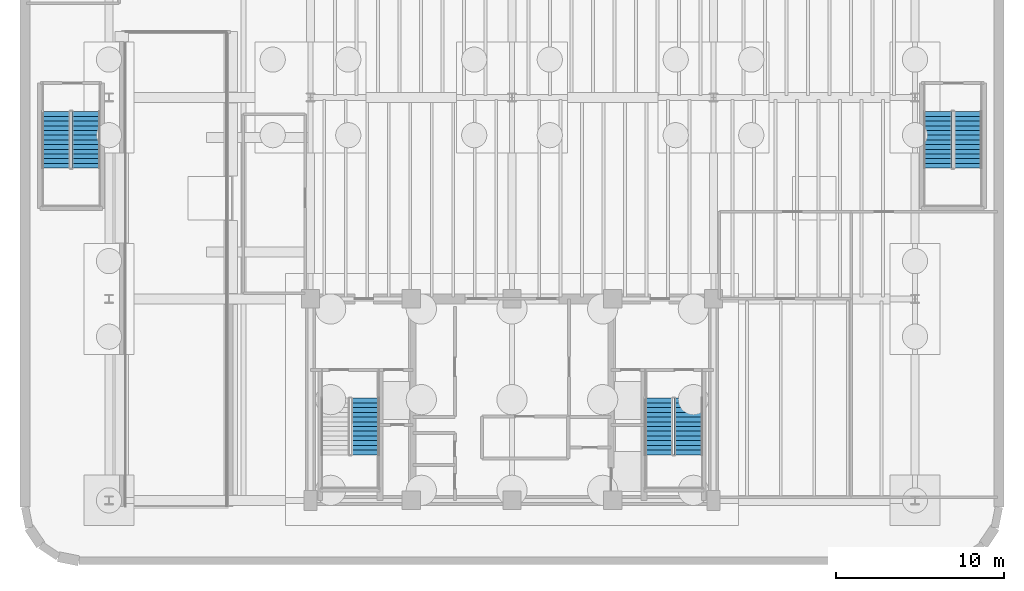
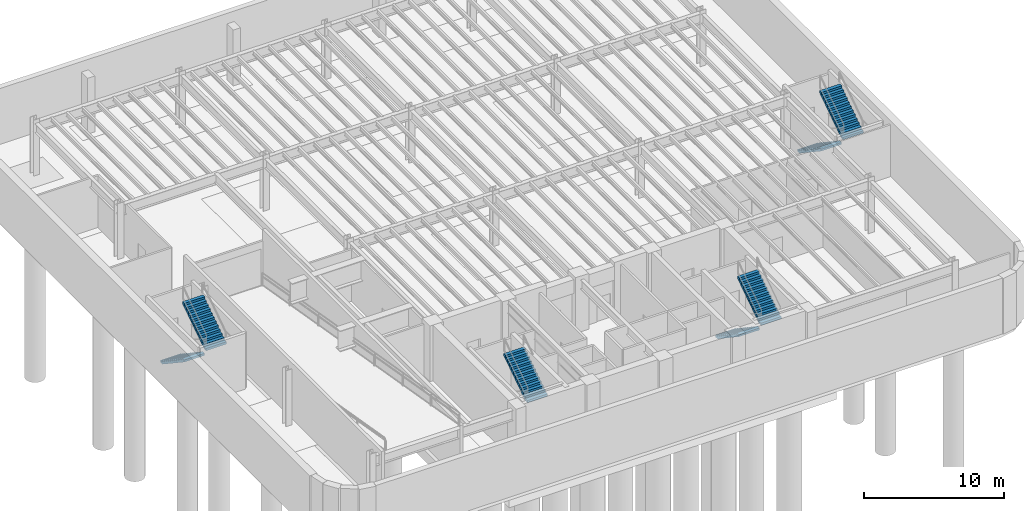
# One storey, part 6 of 9: 7 stair flights, 4 elements without a shape of their own.
"""IFC4 building model written with IfcOpenShell, lengths in metres."""

from ifc_helpers import new_model, si_unit, direction, frame, origin, place, context, subcontext, project, spatial, polyline, outline, extrude, material, type_object, element, aggregate, save


model = new_model("IFC4")

# Units and contexts
model_context = context("Model", 3, precision=1e-05, world=origin(), true_north=direction((0.0, 1.0)))
body_context = subcontext(model_context, "Body", "Model", "MODEL_VIEW")
ifc_project = project(units=[si_unit("LENGTHUNIT", "METRE"), si_unit("AREAUNIT", "SQUARE_METRE"), si_unit("VOLUMEUNIT", "CUBIC_METRE"), si_unit("PLANEANGLEUNIT", "RADIAN"), si_unit("MASSUNIT", "GRAM", prefix="KILO")], contexts=[model_context])

# Site, building, storey
site_placement = place(None, origin())
site = spatial("IfcSite", under=ifc_project, at=site_placement, CompositionType="ELEMENT")
building_placement = place(site_placement, origin())
building = spatial("IfcBuilding", under=site, at=building_placement, Name="Brelvock Crest Care Tower", CompositionType="ELEMENT")
storey_placement = place(building_placement, frame((0.0, 0.0, -4.860107421875)))
storey = spatial("IfcBuildingStorey", under=building, at=storey_placement, Name="B1", CompositionType="ELEMENT", Elevation=-4.860107421875)

# Stair, stair flight
ifc_material = material(Name="Concrete N40 (40 MPa)", Category="concrete")
stair_type_1 = type_object("IfcStairType", Name="ST-CORE1", PredefinedType="HALF_TURN_STAIR", material=ifc_material)
stair_1_placement = place(storey_placement, origin())
stair_1 = element("IfcStair", 1, at=stair_1_placement, inside=storey, type_object=stair_type_1, Name="B1 Fire-Isolated Core Stair ST-1", PredefinedType="HALF_TURN_STAIR")
stair_flight_type_1 = type_object("IfcStairFlightType", Name="STF-1", PredefinedType="STRAIGHT", material=ifc_material)
stair_flight_1_placement = place(storey_placement, frame((27.27001953125, 8.719970703125, 2.43017578125), z_axis=(0.0, 0.0, 1.0), x_axis=(0.0, 1.0, 0.0)))
stair_flight_1 = element("IfcStairFlight", 2, at=stair_flight_1_placement, type_object=stair_flight_type_1, Name="ST-1 flight 2", NumberOfRisers=13, NumberOfTreads=12, PredefinedType="STRAIGHT", RiserHeight=0.186923077, TreadLength=0.28, context=body_context, shape_type="SweptSolid", body=[
    extrude(outline(polyline([(-0.00390625, -0.014892578125), (-0.00390625, -0.0078125), (-0.00390625, -0.00048828125), (-0.00390625, 0.006591796875), (-0.00390625, 0.013916015625), (-0.00390625, 0.02099609375), (-0.00390625, 0.0283203125), (-0.00390625, 0.035400390625), (-0.00390625, 0.042724609375), (-0.00390625, 0.0498046875), (-0.00390625, 0.05712890625), (-0.00390625, 0.064208984375), (-0.00390625, 0.071533203125), (-0.00390625, 0.078857421875), (-0.00390625, 0.0859375), (-0.00390625, 0.09326171875), (-0.00390625, 0.100341796875), (-0.00390625, 0.107666015625), (-0.00390625, 0.11474609375), (-0.00390625, 0.1220703125), (-0.00390625, 0.129150390625), (-0.00390625, 0.136474609375), (-0.00390625, 0.1435546875), (-0.00390625, 0.15087890625), (-0.00390625, 0.157958984375), (-0.00390625, 0.165283203125), (-0.00390625, 0.172607421875), (-0.00390625, 0.1796875), (-0.00390625, 0.18701171875), (0.0, 0.18701171875), (0.280029296875, 0.18701171875), (0.280029296875, 0.373779296875), (0.56005859375, 0.373779296875), (0.56005859375, 0.560791015625), (0.840087890625, 0.560791015625), (0.840087890625, 0.747802734375), (1.1201171875, 0.747802734375), (1.1201171875, 0.9345703125), (1.39990234375, 0.9345703125), (1.39990234375, 1.12158203125), (1.679931640625, 1.12158203125), (1.679931640625, 1.308349609375), (1.9599609375, 1.308349609375), (1.9599609375, 1.495361328125), (2.239990234375, 1.495361328125), (2.239990234375, 1.682373046875), (2.52001953125, 1.682373046875), (2.52001953125, 1.869140625), (2.800048828125, 1.869140625), (2.800048828125, 2.05615234375), (3.080078125, 2.05615234375), (3.080078125, 2.2431640625), (3.360107421875, 2.2431640625), (3.364013671875, 2.2431640625), (3.36376953125, 2.24267578125), (3.364013671875, 2.2421875), (3.36376953125, 2.241943359375), (3.364013671875, 2.241455078125), (3.36376953125, 2.2412109375), (3.364013671875, 2.24072265625), (3.36376953125, 2.240234375), (3.364013671875, 2.239990234375), (3.36376953125, 2.239501953125), (3.364013671875, 2.239013671875), (3.36376953125, 2.23876953125), (3.364013671875, 2.23828125), (3.36376953125, 2.238037109375), (3.364013671875, 2.237548828125), (3.36376953125, 2.237060546875), (3.364013671875, 2.23681640625), (3.36376953125, 2.236328125), (3.364013671875, 2.23583984375), (3.36376953125, 2.235595703125), (3.364013671875, 2.235107421875), (3.36376953125, 2.23486328125), (3.364013671875, 2.234375), (3.36376953125, 2.23388671875), (3.364013671875, 2.233642578125), (3.36376953125, 2.233154296875), (3.364013671875, 2.23291015625), (3.36376953125, 2.232421875), (3.364013671875, 2.23193359375), (3.360107421875, 2.062744140625), (0.27001953125, 0.0), (0.0, 0.0), (0.0, -0.014892578125), (-0.00390625, -0.014892578125)])), frame((0.0, 0.83984375, 0.0), z_axis=(0.0, -1.0, 0.0), x_axis=(1.0, 0.0, 0.0)), (0.0, 0.0, 1.0), 1.679931640625),
])
aggregate(stair_1, [stair_flight_1])

# Stair, stair flights
stair_2_placement = place(storey_placement, origin())
stair_2 = element("IfcStair", 3, at=stair_2_placement, inside=storey, type_object=stair_type_1, Name="B1 Fire-Isolated Core Stair ST-2", PredefinedType="HALF_TURN_STAIR")
stair_flight_2_placement = place(storey_placement, frame((44.72998046875, 12.080078125, 0.0), z_axis=(0.0, 0.0, 1.0), x_axis=(0.0, -1.0, 0.0)))
stair_flight_2 = element("IfcStairFlight", 4, at=stair_flight_2_placement, type_object=stair_flight_type_1, Name="ST-2 flight 1", NumberOfRisers=13, NumberOfTreads=12, PredefinedType="STRAIGHT", RiserHeight=0.186923077, TreadLength=0.28, context=body_context, shape_type="SweptSolid", body=[
    extrude(outline(polyline([(-0.00390625, -0.014892578125), (-0.00390625, -0.0078125), (-0.00390625, -0.00048828125), (-0.00390625, 0.006591796875), (-0.00390625, 0.013916015625), (-0.00390625, 0.02099609375), (-0.00390625, 0.0283203125), (-0.00390625, 0.035400390625), (-0.00390625, 0.042724609375), (-0.00390625, 0.0498046875), (-0.00390625, 0.05712890625), (-0.00390625, 0.064208984375), (-0.00390625, 0.071533203125), (-0.00390625, 0.078857421875), (-0.00390625, 0.0859375), (-0.00390625, 0.09326171875), (-0.00390625, 0.100341796875), (-0.00390625, 0.107666015625), (-0.00390625, 0.11474609375), (-0.00390625, 0.1220703125), (-0.00390625, 0.129150390625), (-0.00390625, 0.136474609375), (-0.00390625, 0.1435546875), (-0.00390625, 0.15087890625), (-0.00390625, 0.157958984375), (-0.00390625, 0.165283203125), (-0.00390625, 0.172607421875), (-0.00390625, 0.1796875), (-0.00390625, 0.18701171875), (0.0, 0.18701171875), (0.280029296875, 0.18701171875), (0.280029296875, 0.373779296875), (0.56005859375, 0.373779296875), (0.56005859375, 0.560791015625), (0.840087890625, 0.560791015625), (0.840087890625, 0.747802734375), (1.1201171875, 0.747802734375), (1.1201171875, 0.9345703125), (1.39990234375, 0.9345703125), (1.39990234375, 1.12158203125), (1.679931640625, 1.12158203125), (1.679931640625, 1.308349609375), (1.9599609375, 1.308349609375), (1.9599609375, 1.495361328125), (2.239990234375, 1.495361328125), (2.239990234375, 1.682373046875), (2.52001953125, 1.682373046875), (2.52001953125, 1.869140625), (2.800048828125, 1.869140625), (2.800048828125, 2.05615234375), (3.080078125, 2.05615234375), (3.080078125, 2.2431640625), (3.360107421875, 2.2431640625), (3.364013671875, 2.2431640625), (3.36376953125, 2.24267578125), (3.364013671875, 2.2421875), (3.36376953125, 2.241943359375), (3.364013671875, 2.241455078125), (3.36376953125, 2.2412109375), (3.364013671875, 2.24072265625), (3.36376953125, 2.240234375), (3.364013671875, 2.239990234375), (3.36376953125, 2.239501953125), (3.364013671875, 2.239013671875), (3.36376953125, 2.23876953125), (3.364013671875, 2.23828125), (3.36376953125, 2.238037109375), (3.364013671875, 2.237548828125), (3.36376953125, 2.237060546875), (3.364013671875, 2.23681640625), (3.36376953125, 2.236328125), (3.364013671875, 2.23583984375), (3.36376953125, 2.235595703125), (3.364013671875, 2.235107421875), (3.36376953125, 2.23486328125), (3.364013671875, 2.234375), (3.36376953125, 2.23388671875), (3.364013671875, 2.233642578125), (3.36376953125, 2.233154296875), (3.364013671875, 2.23291015625), (3.36376953125, 2.232421875), (3.364013671875, 2.23193359375), (3.360107421875, 2.062744140625), (0.27001953125, 0.0), (0.0, 0.0), (0.0, -0.014892578125), (-0.00390625, -0.014892578125)])), frame((0.0, 0.83984375, 0.0), z_axis=(0.0, -1.0, 0.0), x_axis=(1.0, 0.0, 0.0)), (0.0, 0.0, 1.0), 1.679931640625),
])
stair_flight_3_placement = place(storey_placement, frame((46.530029296875, 8.719970703125, 2.43017578125), z_axis=(0.0, 0.0, 1.0), x_axis=(0.0, 1.0, 0.0)))
stair_flight_3 = element("IfcStairFlight", 5, at=stair_flight_3_placement, type_object=stair_flight_type_1, Name="ST-2 flight 2", NumberOfRisers=13, NumberOfTreads=12, PredefinedType="STRAIGHT", RiserHeight=0.186923077, TreadLength=0.28, context=body_context, shape_type="SweptSolid", body=[
    extrude(outline(polyline([(-0.00390625, -0.014892578125), (-0.00390625, -0.0078125), (-0.00390625, -0.00048828125), (-0.00390625, 0.006591796875), (-0.00390625, 0.013916015625), (-0.00390625, 0.02099609375), (-0.00390625, 0.0283203125), (-0.00390625, 0.035400390625), (-0.00390625, 0.042724609375), (-0.00390625, 0.0498046875), (-0.00390625, 0.05712890625), (-0.00390625, 0.064208984375), (-0.00390625, 0.071533203125), (-0.00390625, 0.078857421875), (-0.00390625, 0.0859375), (-0.00390625, 0.09326171875), (-0.00390625, 0.100341796875), (-0.00390625, 0.107666015625), (-0.00390625, 0.11474609375), (-0.00390625, 0.1220703125), (-0.00390625, 0.129150390625), (-0.00390625, 0.136474609375), (-0.00390625, 0.1435546875), (-0.00390625, 0.15087890625), (-0.00390625, 0.157958984375), (-0.00390625, 0.165283203125), (-0.00390625, 0.172607421875), (-0.00390625, 0.1796875), (-0.00390625, 0.18701171875), (0.0, 0.18701171875), (0.280029296875, 0.18701171875), (0.280029296875, 0.373779296875), (0.56005859375, 0.373779296875), (0.56005859375, 0.560791015625), (0.840087890625, 0.560791015625), (0.840087890625, 0.747802734375), (1.1201171875, 0.747802734375), (1.1201171875, 0.9345703125), (1.39990234375, 0.9345703125), (1.39990234375, 1.12158203125), (1.679931640625, 1.12158203125), (1.679931640625, 1.308349609375), (1.9599609375, 1.308349609375), (1.9599609375, 1.495361328125), (2.239990234375, 1.495361328125), (2.239990234375, 1.682373046875), (2.52001953125, 1.682373046875), (2.52001953125, 1.869140625), (2.800048828125, 1.869140625), (2.800048828125, 2.05615234375), (3.080078125, 2.05615234375), (3.080078125, 2.2431640625), (3.360107421875, 2.2431640625), (3.364013671875, 2.2431640625), (3.36376953125, 2.24267578125), (3.364013671875, 2.2421875), (3.36376953125, 2.241943359375), (3.364013671875, 2.241455078125), (3.36376953125, 2.2412109375), (3.364013671875, 2.24072265625), (3.36376953125, 2.240234375), (3.364013671875, 2.239990234375), (3.36376953125, 2.239501953125), (3.364013671875, 2.239013671875), (3.36376953125, 2.23876953125), (3.364013671875, 2.23828125), (3.36376953125, 2.238037109375), (3.364013671875, 2.237548828125), (3.36376953125, 2.237060546875), (3.364013671875, 2.23681640625), (3.36376953125, 2.236328125), (3.364013671875, 2.23583984375), (3.36376953125, 2.235595703125), (3.364013671875, 2.235107421875), (3.36376953125, 2.23486328125), (3.364013671875, 2.234375), (3.36376953125, 2.23388671875), (3.364013671875, 2.233642578125), (3.36376953125, 2.233154296875), (3.364013671875, 2.23291015625), (3.36376953125, 2.232421875), (3.364013671875, 2.23193359375), (3.360107421875, 2.062744140625), (0.27001953125, 0.0), (0.0, 0.0), (0.0, -0.014892578125), (-0.00390625, -0.014892578125)])), frame((0.0, 0.83984375, 0.0), z_axis=(0.0, -1.0, 0.0), x_axis=(1.0, 0.0, 0.0)), (0.0, 0.0, 1.0), 1.679931640625),
])
aggregate(stair_2, [stair_flight_2, stair_flight_3])

stair_type_2 = type_object("IfcStairType", Name="ST-POD1", PredefinedType="HALF_TURN_STAIR", material=ifc_material)
stair_3_placement = place(storey_placement, origin())
stair_3 = element("IfcStair", 6, at=stair_3_placement, inside=storey, type_object=stair_type_2, Name="B1 Podium West Fire Stair ST-3", PredefinedType="HALF_TURN_STAIR")
stair_flight_type_2 = type_object("IfcStairFlightType", Name="STF-2", PredefinedType="STRAIGHT", material=ifc_material)
stair_flight_4_placement = place(storey_placement, frame((8.85009765625, 29.14990234375, 0.0), z_axis=(0.0, 0.0, 1.0), x_axis=(0.0, -1.0, 0.0)))
stair_flight_4 = element("IfcStairFlight", 7, at=stair_flight_4_placement, type_object=stair_flight_type_2, Name="ST-3 flight 1", NumberOfRisers=13, NumberOfTreads=12, PredefinedType="STRAIGHT", RiserHeight=0.186923077, TreadLength=0.28, context=body_context, shape_type="SweptSolid", body=[
    extrude(outline(polyline([(-0.00390625, -0.014892578125), (-0.00390625, -0.0078125), (-0.00390625, -0.00048828125), (-0.00390625, 0.006591796875), (-0.00390625, 0.013916015625), (-0.00390625, 0.02099609375), (-0.00390625, 0.0283203125), (-0.00390625, 0.035400390625), (-0.00390625, 0.042724609375), (-0.00390625, 0.0498046875), (-0.00390625, 0.05712890625), (-0.00390625, 0.064208984375), (-0.00390625, 0.071533203125), (-0.00390625, 0.078857421875), (-0.00390625, 0.0859375), (-0.00390625, 0.09326171875), (-0.00390625, 0.100341796875), (-0.00390625, 0.107666015625), (-0.00390625, 0.11474609375), (-0.00390625, 0.1220703125), (-0.00390625, 0.129150390625), (-0.00390625, 0.136474609375), (-0.00390625, 0.1435546875), (-0.00390625, 0.15087890625), (-0.00390625, 0.157958984375), (-0.00390625, 0.165283203125), (-0.00390625, 0.172607421875), (-0.00390625, 0.1796875), (-0.00390625, 0.18701171875), (0.0, 0.18701171875), (0.280029296875, 0.18701171875), (0.280029296875, 0.373779296875), (0.56005859375, 0.373779296875), (0.56005859375, 0.560791015625), (0.840087890625, 0.560791015625), (0.840087890625, 0.747802734375), (1.1201171875, 0.747802734375), (1.1201171875, 0.9345703125), (1.39990234375, 0.9345703125), (1.39990234375, 1.12158203125), (1.679931640625, 1.12158203125), (1.679931640625, 1.308349609375), (1.9599609375, 1.308349609375), (1.9599609375, 1.495361328125), (2.239990234375, 1.495361328125), (2.239990234375, 1.682373046875), (2.52001953125, 1.682373046875), (2.52001953125, 1.869140625), (2.800048828125, 1.869140625), (2.800048828125, 2.05615234375), (3.080078125, 2.05615234375), (3.080078125, 2.2431640625), (3.360107421875, 2.2431640625), (3.364013671875, 2.2431640625), (3.36376953125, 2.24267578125), (3.364013671875, 2.2421875), (3.36376953125, 2.241943359375), (3.364013671875, 2.241455078125), (3.36376953125, 2.2412109375), (3.364013671875, 2.24072265625), (3.36376953125, 2.240234375), (3.364013671875, 2.239990234375), (3.36376953125, 2.239501953125), (3.364013671875, 2.239013671875), (3.36376953125, 2.23876953125), (3.364013671875, 2.23828125), (3.36376953125, 2.238037109375), (3.364013671875, 2.237548828125), (3.36376953125, 2.237060546875), (3.364013671875, 2.23681640625), (3.36376953125, 2.236328125), (3.364013671875, 2.23583984375), (3.36376953125, 2.235595703125), (3.364013671875, 2.235107421875), (3.36376953125, 2.23486328125), (3.364013671875, 2.234375), (3.36376953125, 2.23388671875), (3.364013671875, 2.233642578125), (3.36376953125, 2.233154296875), (3.364013671875, 2.23291015625), (3.36376953125, 2.232421875), (3.364013671875, 2.23193359375), (3.360107421875, 2.062744140625), (0.27001953125, 0.0), (0.0, 0.0), (0.0, -0.014892578125), (-0.00390625, -0.014892578125)])), frame((0.0, 0.83984375, 0.0), z_axis=(0.0, -1.0, 0.0), x_axis=(1.0, 0.0, 0.0)), (0.0, 0.0, 1.0), 1.679931640625),
])
stair_flight_5_placement = place(storey_placement, frame((10.64990234375, 25.7900390625, 2.43017578125), z_axis=(0.0, 0.0, 1.0), x_axis=(0.0, 1.0, 0.0)))
stair_flight_5 = element("IfcStairFlight", 8, at=stair_flight_5_placement, type_object=stair_flight_type_2, Name="ST-3 flight 2", NumberOfRisers=13, NumberOfTreads=12, PredefinedType="STRAIGHT", RiserHeight=0.186923077, TreadLength=0.28, context=body_context, shape_type="SweptSolid", body=[
    extrude(outline(polyline([(-0.00390625, -0.014892578125), (-0.00390625, -0.0078125), (-0.00390625, -0.00048828125), (-0.00390625, 0.006591796875), (-0.00390625, 0.013916015625), (-0.00390625, 0.02099609375), (-0.00390625, 0.0283203125), (-0.00390625, 0.035400390625), (-0.00390625, 0.042724609375), (-0.00390625, 0.0498046875), (-0.00390625, 0.05712890625), (-0.00390625, 0.064208984375), (-0.00390625, 0.071533203125), (-0.00390625, 0.078857421875), (-0.00390625, 0.0859375), (-0.00390625, 0.09326171875), (-0.00390625, 0.100341796875), (-0.00390625, 0.107666015625), (-0.00390625, 0.11474609375), (-0.00390625, 0.1220703125), (-0.00390625, 0.129150390625), (-0.00390625, 0.136474609375), (-0.00390625, 0.1435546875), (-0.00390625, 0.15087890625), (-0.00390625, 0.157958984375), (-0.00390625, 0.165283203125), (-0.00390625, 0.172607421875), (-0.00390625, 0.1796875), (-0.00390625, 0.18701171875), (0.0, 0.18701171875), (0.280029296875, 0.18701171875), (0.280029296875, 0.373779296875), (0.56005859375, 0.373779296875), (0.56005859375, 0.560791015625), (0.840087890625, 0.560791015625), (0.840087890625, 0.747802734375), (1.1201171875, 0.747802734375), (1.1201171875, 0.9345703125), (1.39990234375, 0.9345703125), (1.39990234375, 1.12158203125), (1.679931640625, 1.12158203125), (1.679931640625, 1.308349609375), (1.9599609375, 1.308349609375), (1.9599609375, 1.495361328125), (2.239990234375, 1.495361328125), (2.239990234375, 1.682373046875), (2.52001953125, 1.682373046875), (2.52001953125, 1.869140625), (2.800048828125, 1.869140625), (2.800048828125, 2.05615234375), (3.080078125, 2.05615234375), (3.080078125, 2.2431640625), (3.360107421875, 2.2431640625), (3.364013671875, 2.2431640625), (3.36376953125, 2.24267578125), (3.364013671875, 2.2421875), (3.36376953125, 2.241943359375), (3.364013671875, 2.241455078125), (3.36376953125, 2.2412109375), (3.364013671875, 2.24072265625), (3.36376953125, 2.240234375), (3.364013671875, 2.239990234375), (3.36376953125, 2.239501953125), (3.364013671875, 2.239013671875), (3.36376953125, 2.23876953125), (3.364013671875, 2.23828125), (3.36376953125, 2.238037109375), (3.364013671875, 2.237548828125), (3.36376953125, 2.237060546875), (3.364013671875, 2.23681640625), (3.36376953125, 2.236328125), (3.364013671875, 2.23583984375), (3.36376953125, 2.235595703125), (3.364013671875, 2.235107421875), (3.36376953125, 2.23486328125), (3.364013671875, 2.234375), (3.36376953125, 2.23388671875), (3.364013671875, 2.233642578125), (3.36376953125, 2.233154296875), (3.364013671875, 2.23291015625), (3.36376953125, 2.232421875), (3.364013671875, 2.23193359375), (3.360107421875, 2.062744140625), (0.27001953125, 0.0), (0.0, 0.0), (0.0, -0.014892578125), (-0.00390625, -0.014892578125)])), frame((0.0, 0.83984375, 0.0), z_axis=(0.0, -1.0, 0.0), x_axis=(1.0, 0.0, 0.0)), (0.0, 0.0, 1.0), 1.679931640625),
])
aggregate(stair_3, [stair_flight_4, stair_flight_5])

stair_4_placement = place(storey_placement, origin())
stair_4 = element("IfcStair", 9, at=stair_4_placement, inside=storey, type_object=stair_type_2, Name="B1 Podium East Fire Stair ST-4", PredefinedType="HALF_TURN_STAIR")
stair_flight_6_placement = place(storey_placement, frame((61.35009765625, 29.14990234375, 0.0), z_axis=(0.0, 0.0, 1.0), x_axis=(0.0, -1.0, 0.0)))
stair_flight_6 = element("IfcStairFlight", 10, at=stair_flight_6_placement, type_object=stair_flight_type_2, Name="ST-4 flight 1", NumberOfRisers=13, NumberOfTreads=12, PredefinedType="STRAIGHT", RiserHeight=0.186923077, TreadLength=0.28, context=body_context, shape_type="SweptSolid", body=[
    extrude(outline(polyline([(-0.00390625, -0.014892578125), (-0.00390625, -0.0078125), (-0.00390625, -0.00048828125), (-0.00390625, 0.006591796875), (-0.00390625, 0.013916015625), (-0.00390625, 0.02099609375), (-0.00390625, 0.0283203125), (-0.00390625, 0.035400390625), (-0.00390625, 0.042724609375), (-0.00390625, 0.0498046875), (-0.00390625, 0.05712890625), (-0.00390625, 0.064208984375), (-0.00390625, 0.071533203125), (-0.00390625, 0.078857421875), (-0.00390625, 0.0859375), (-0.00390625, 0.09326171875), (-0.00390625, 0.100341796875), (-0.00390625, 0.107666015625), (-0.00390625, 0.11474609375), (-0.00390625, 0.1220703125), (-0.00390625, 0.129150390625), (-0.00390625, 0.136474609375), (-0.00390625, 0.1435546875), (-0.00390625, 0.15087890625), (-0.00390625, 0.157958984375), (-0.00390625, 0.165283203125), (-0.00390625, 0.172607421875), (-0.00390625, 0.1796875), (-0.00390625, 0.18701171875), (0.0, 0.18701171875), (0.280029296875, 0.18701171875), (0.280029296875, 0.373779296875), (0.56005859375, 0.373779296875), (0.56005859375, 0.560791015625), (0.840087890625, 0.560791015625), (0.840087890625, 0.747802734375), (1.1201171875, 0.747802734375), (1.1201171875, 0.9345703125), (1.39990234375, 0.9345703125), (1.39990234375, 1.12158203125), (1.679931640625, 1.12158203125), (1.679931640625, 1.308349609375), (1.9599609375, 1.308349609375), (1.9599609375, 1.495361328125), (2.239990234375, 1.495361328125), (2.239990234375, 1.682373046875), (2.52001953125, 1.682373046875), (2.52001953125, 1.869140625), (2.800048828125, 1.869140625), (2.800048828125, 2.05615234375), (3.080078125, 2.05615234375), (3.080078125, 2.2431640625), (3.360107421875, 2.2431640625), (3.364013671875, 2.2431640625), (3.36376953125, 2.24267578125), (3.364013671875, 2.2421875), (3.36376953125, 2.241943359375), (3.364013671875, 2.241455078125), (3.36376953125, 2.2412109375), (3.364013671875, 2.24072265625), (3.36376953125, 2.240234375), (3.364013671875, 2.239990234375), (3.36376953125, 2.239501953125), (3.364013671875, 2.239013671875), (3.36376953125, 2.23876953125), (3.364013671875, 2.23828125), (3.36376953125, 2.238037109375), (3.364013671875, 2.237548828125), (3.36376953125, 2.237060546875), (3.364013671875, 2.23681640625), (3.36376953125, 2.236328125), (3.364013671875, 2.23583984375), (3.36376953125, 2.235595703125), (3.364013671875, 2.235107421875), (3.36376953125, 2.23486328125), (3.364013671875, 2.234375), (3.36376953125, 2.23388671875), (3.364013671875, 2.233642578125), (3.36376953125, 2.233154296875), (3.364013671875, 2.23291015625), (3.36376953125, 2.232421875), (3.364013671875, 2.23193359375), (3.360107421875, 2.062744140625), (0.27001953125, 0.0), (0.0, 0.0), (0.0, -0.014892578125), (-0.00390625, -0.014892578125)])), frame((0.0, 0.83984375, 0.0), z_axis=(0.0, -1.0, 0.0), x_axis=(1.0, 0.0, 0.0)), (0.0, 0.0, 1.0), 1.679931640625),
])
stair_flight_7_placement = place(storey_placement, frame((63.14990234375, 25.7900390625, 2.43017578125), z_axis=(0.0, 0.0, 1.0), x_axis=(0.0, 1.0, 0.0)))
stair_flight_7 = element("IfcStairFlight", 11, at=stair_flight_7_placement, type_object=stair_flight_type_2, Name="ST-4 flight 2", NumberOfRisers=13, NumberOfTreads=12, PredefinedType="STRAIGHT", RiserHeight=0.186923077, TreadLength=0.28, context=body_context, shape_type="SweptSolid", body=[
    extrude(outline(polyline([(-0.00390625, -0.014892578125), (-0.00390625, -0.0078125), (-0.00390625, -0.00048828125), (-0.00390625, 0.006591796875), (-0.00390625, 0.013916015625), (-0.00390625, 0.02099609375), (-0.00390625, 0.0283203125), (-0.00390625, 0.035400390625), (-0.00390625, 0.042724609375), (-0.00390625, 0.0498046875), (-0.00390625, 0.05712890625), (-0.00390625, 0.064208984375), (-0.00390625, 0.071533203125), (-0.00390625, 0.078857421875), (-0.00390625, 0.0859375), (-0.00390625, 0.09326171875), (-0.00390625, 0.100341796875), (-0.00390625, 0.107666015625), (-0.00390625, 0.11474609375), (-0.00390625, 0.1220703125), (-0.00390625, 0.129150390625), (-0.00390625, 0.136474609375), (-0.00390625, 0.1435546875), (-0.00390625, 0.15087890625), (-0.00390625, 0.157958984375), (-0.00390625, 0.165283203125), (-0.00390625, 0.172607421875), (-0.00390625, 0.1796875), (-0.00390625, 0.18701171875), (0.0, 0.18701171875), (0.280029296875, 0.18701171875), (0.280029296875, 0.373779296875), (0.56005859375, 0.373779296875), (0.56005859375, 0.560791015625), (0.840087890625, 0.560791015625), (0.840087890625, 0.747802734375), (1.1201171875, 0.747802734375), (1.1201171875, 0.9345703125), (1.39990234375, 0.9345703125), (1.39990234375, 1.12158203125), (1.679931640625, 1.12158203125), (1.679931640625, 1.308349609375), (1.9599609375, 1.308349609375), (1.9599609375, 1.495361328125), (2.239990234375, 1.495361328125), (2.239990234375, 1.682373046875), (2.52001953125, 1.682373046875), (2.52001953125, 1.869140625), (2.800048828125, 1.869140625), (2.800048828125, 2.05615234375), (3.080078125, 2.05615234375), (3.080078125, 2.2431640625), (3.360107421875, 2.2431640625), (3.364013671875, 2.2431640625), (3.36376953125, 2.24267578125), (3.364013671875, 2.2421875), (3.36376953125, 2.241943359375), (3.364013671875, 2.241455078125), (3.36376953125, 2.2412109375), (3.364013671875, 2.24072265625), (3.36376953125, 2.240234375), (3.364013671875, 2.239990234375), (3.36376953125, 2.239501953125), (3.364013671875, 2.239013671875), (3.36376953125, 2.23876953125), (3.364013671875, 2.23828125), (3.36376953125, 2.238037109375), (3.364013671875, 2.237548828125), (3.36376953125, 2.237060546875), (3.364013671875, 2.23681640625), (3.36376953125, 2.236328125), (3.364013671875, 2.23583984375), (3.36376953125, 2.235595703125), (3.364013671875, 2.235107421875), (3.36376953125, 2.23486328125), (3.364013671875, 2.234375), (3.36376953125, 2.23388671875), (3.364013671875, 2.233642578125), (3.36376953125, 2.233154296875), (3.364013671875, 2.23291015625), (3.36376953125, 2.232421875), (3.364013671875, 2.23193359375), (3.360107421875, 2.062744140625), (0.27001953125, 0.0), (0.0, 0.0), (0.0, -0.014892578125), (-0.00390625, -0.014892578125)])), frame((0.0, 0.83984375, 0.0), z_axis=(0.0, -1.0, 0.0), x_axis=(1.0, 0.0, 0.0)), (0.0, 0.0, 1.0), 1.679931640625),
])
aggregate(stair_4, [stair_flight_6, stair_flight_7])

save(model, "model.ifc")
